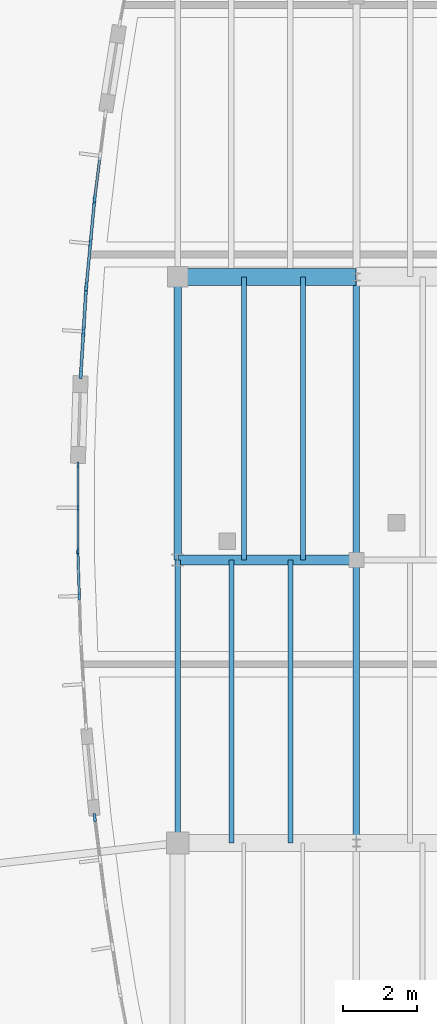
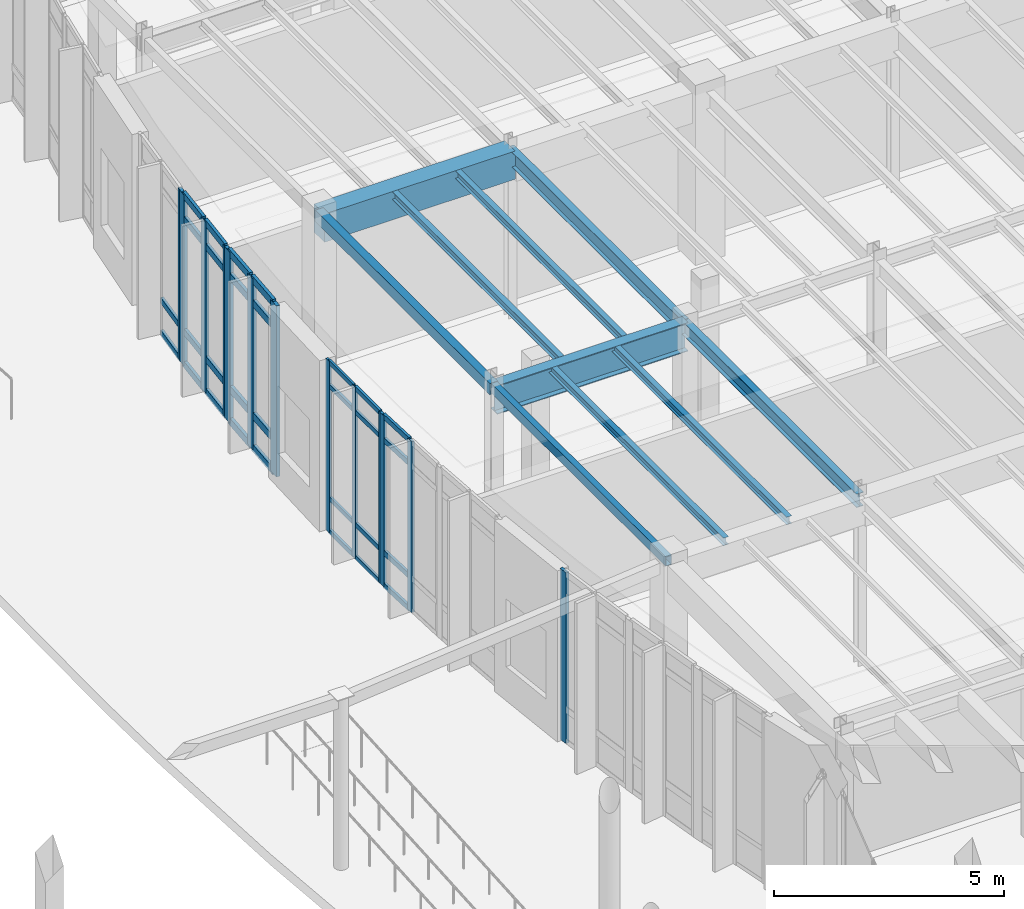
# One storey, part 52 of 120: 43 members, 10 beams, 6 elements without a shape of their own.
"""IFC4 building model written with IfcOpenShell, lengths in metres."""

from ifc_helpers import new_model, si_unit, direction, frame, origin, origin_2d, place, context, subcontext, project, spatial, rectangle, hollow_rectangle, i_section, extrude, material, material_profile, profile_set, type_object, element, aggregate, save


model = new_model("IFC4")

# Units and contexts
model_context = context("Model", 3, precision=1e-05, world=origin(), true_north=direction((0.0, 1.0)))
body_context = subcontext(model_context, "Body", "Model", "MODEL_VIEW")
ifc_project = project(units=[si_unit("LENGTHUNIT", "METRE"), si_unit("AREAUNIT", "SQUARE_METRE"), si_unit("VOLUMEUNIT", "CUBIC_METRE"), si_unit("PLANEANGLEUNIT", "RADIAN"), si_unit("MASSUNIT", "GRAM", prefix="KILO")], contexts=[model_context])

# Site, building, storey
site_placement = place(None, origin())
site = spatial("IfcSite", under=ifc_project, at=site_placement, CompositionType="ELEMENT")
building_placement = place(site_placement, origin())
building = spatial("IfcBuilding", under=site, at=building_placement, Name="Corveleigh Park Community Centre", CompositionType="ELEMENT")
storey_placement = place(building_placement, origin())
storey = spatial("IfcBuildingStorey", under=building, at=storey_placement, Name="L00", CompositionType="ELEMENT", Elevation=0.0)

# Beams
ifc_material_1 = material(Name="Concrete C40/50", Category="concrete")
ifc_material_profile_1 = material_profile(ifc_material_1, rectangle(XDim=0.449951171875, YDim=0.75, at=origin_2d()), Name="RC-450x750", Category="concrete")
ifc_profile_set_1 = profile_set([ifc_material_profile_1], Name="Concrete C40/50")
beam_type_1 = type_object("IfcBeamType", Name="BM-RC-450x750", PredefinedType="BEAM", material=ifc_profile_set_1)
beam_1_placement = place(storey_placement, frame((129.804931640625, 89.0, 4.152099609375), z_axis=(1.0, 0.0, 0.0), x_axis=(0.0, 1.0, 0.0)))
element("IfcBeam", 1, at=beam_1_placement, inside=storey, type_object=beam_type_1, Name="V4 Girder X", PredefinedType="BEAM", context=body_context, shape_type="SweptSolid", body=[
    extrude(rectangle(XDim=0.449951171875, YDim=0.75, at=origin_2d()), origin(), (0.0, 0.0, 1.0), 4.7900390625),
])
ifc_material_2 = material(Name="Steel S355", Category="steel")
ifc_material_profile_2 = material_profile(ifc_material_2, i_section(OverallWidth=0.13330078125, OverallDepth=0.203125, WebThickness=0.005615234375, FlangeThickness=0.0078125, at=origin_2d()), Name="UKB 203x133x25", Category="steel")
ifc_profile_set_2 = profile_set([ifc_material_profile_2], Name="Steel S355")
beam_type_2 = type_object("IfcBeamType", Name="BM-STL-UKB203x25", PredefinedType="JOIST", material=ifc_profile_set_2)
for number, where, z_axis, x_axis, name in (
    (2, (131.239990234375, 73.804931640625, 4.42529296875), (0.0, 1.0, 0.0), (-1.0, 0.0, 0.0), "Secondary floor joist"),
    (3, (132.823974609375, 73.804931640625, 4.42529296875), (0.0, 1.0, 0.0), (-1.0, 0.0, 0.0), "Secondary floor joist"),
):
    element("IfcBeam", number, at=place(storey_placement, frame(where, z_axis=z_axis, x_axis=x_axis)), inside=storey, type_object=beam_type_2, Name=name, PredefinedType="JOIST", context=body_context, shape_type="SweptSolid", body=[
        extrude(i_section(OverallWidth=0.13330078125, OverallDepth=0.203125, WebThickness=0.005615234375, FlangeThickness=0.0078125, at=origin_2d()), origin(), (0.0, 0.0, 1.0), 7.590087890625),
    ])
ifc_material_profile_3 = material_profile(ifc_material_2, i_section(OverallWidth=0.1337890625, OverallDepth=0.206787109375, WebThickness=0.00634765625, FlangeThickness=0.009521484375, at=origin_2d()), Name="UKB 203x133x30", Category="steel")
ifc_profile_set_3 = profile_set([ifc_material_profile_3], Name="Steel S355")
beam_type_3 = type_object("IfcBeamType", Name="BM-STL-UKB203x30", PredefinedType="JOIST", material=ifc_profile_set_3)
for number, where, z_axis, x_axis, name in (
    (4, (131.575927734375, 81.405029296875, 4.423583984375), (0.0, 1.0, 0.0), (-1.0, 0.0, 0.0), "Secondary floor joist"),
    (5, (133.159912109375, 81.405029296875, 4.423583984375), (0.0, 1.0, 0.0), (-1.0, 0.0, 0.0), "Secondary floor joist"),
):
    element("IfcBeam", number, at=place(storey_placement, frame(where, z_axis=z_axis, x_axis=x_axis)), inside=storey, type_object=beam_type_3, Name=name, PredefinedType="JOIST", context=body_context, shape_type="SweptSolid", body=[
        extrude(i_section(OverallWidth=0.1337890625, OverallDepth=0.206787109375, WebThickness=0.00634765625, FlangeThickness=0.009521484375, at=origin_2d()), origin(), (0.0, 0.0, 1.0), 7.590087890625),
    ])
ifc_material_profile_4 = material_profile(ifc_material_2, i_section(OverallWidth=0.173095703125, OverallDepth=0.36328125, WebThickness=0.009033203125, FlangeThickness=0.015625, at=origin_2d()), Name="UKB 356x171x67", Category="steel")
ifc_profile_set_4 = profile_set([ifc_material_profile_4], Name="Steel S355")
beam_type_4 = type_object("IfcBeamType", Name="BM-STL-UKB356x67", PredefinedType="BEAM", material=ifc_profile_set_4)
beam_2_placement = place(storey_placement, frame((134.60009765625, 73.804931640625, 4.34521484375), z_axis=(0.0, 1.0, 0.0), x_axis=(-1.0, 0.0, 0.0)))
element("IfcBeam", 6, at=beam_2_placement, inside=storey, type_object=beam_type_4, Name="V4 Girder Y", PredefinedType="BEAM", context=body_context, shape_type="SweptSolid", body=[
    extrude(i_section(OverallWidth=0.173095703125, OverallDepth=0.36328125, WebThickness=0.009033203125, FlangeThickness=0.015625, at=origin_2d()), origin(), (0.0, 0.0, 1.0), 7.590087890625),
])
ifc_material_profile_5 = material_profile(ifc_material_2, i_section(OverallWidth=0.177978515625, OverallDepth=0.406494140625, WebThickness=0.0078125, FlangeThickness=0.0126953125, at=origin_2d()), Name="UKB 406x178x60", Category="steel")
ifc_profile_set_5 = profile_set([ifc_material_profile_5], Name="Steel S355")
beam_type_5 = type_object("IfcBeamType", Name="BM-STL-UKB406x60", PredefinedType="BEAM", material=ifc_profile_set_5)
beam_3_placement = place(storey_placement, frame((134.60009765625, 81.405029296875, 4.32373046875), z_axis=(0.0, 1.0, 0.0), x_axis=(-1.0, 0.0, 0.0)))
element("IfcBeam", 7, at=beam_3_placement, inside=storey, type_object=beam_type_5, Name="V4 Girder Y", PredefinedType="BEAM", context=body_context, shape_type="SweptSolid", body=[
    extrude(i_section(OverallWidth=0.177978515625, OverallDepth=0.406494140625, WebThickness=0.0078125, FlangeThickness=0.0126953125, at=origin_2d()), origin(), (0.0, 0.0, 1.0), 7.590087890625),
])
ifc_material_profile_6 = material_profile(ifc_material_2, i_section(OverallWidth=0.2666015625, OverallDepth=0.76220703125, WebThickness=0.014404296875, FlangeThickness=0.021484375, at=origin_2d()), Name="UKB 762x267x173", Category="steel")
ifc_profile_set_6 = profile_set([ifc_material_profile_6], Name="Steel S355")
beam_type_6 = type_object("IfcBeamType", Name="BM-STL-UKB762x173", PredefinedType="BEAM", material=ifc_profile_set_6)
beam_4_placement = place(storey_placement, frame((129.804931640625, 81.39990234375, 4.14599609375), z_axis=(1.0, 0.0, 0.0), x_axis=(0.0, 1.0, 0.0)))
element("IfcBeam", 8, at=beam_4_placement, inside=storey, type_object=beam_type_6, Name="V4 Girder X", PredefinedType="BEAM", context=body_context, shape_type="SweptSolid", body=[
    extrude(i_section(OverallWidth=0.2666015625, OverallDepth=0.76220703125, WebThickness=0.014404296875, FlangeThickness=0.021484375, at=origin_2d()), origin(), (0.0, 0.0, 1.0), 4.7900390625),
])

# Curtain wall, members
ifc_material_3 = material(Name="Anodised aluminium 6063-T6", Category="aluminium")
curtain_wall_type = type_object("IfcCurtainWallType", Name="CW-SYS-V4-L00", PredefinedType="NOTDEFINED", material=ifc_material_3)
curtain_wall_1_placement = place(storey_placement, origin())
curtain_wall_1 = element("IfcCurtainWall", 9, at=curtain_wall_1_placement, inside=storey, type_object=curtain_wall_type, Name="V4 L00 Curtain Wall 151", PredefinedType="NOTDEFINED")
ifc_material_profile_7 = material_profile(ifc_material_3, rectangle(XDim=0.06005859375, YDim=0.159912109375, at=origin_2d()), Name="ALU-M60x160", Category="aluminium")
ifc_profile_set_7 = profile_set([ifc_material_profile_7], Name="Anodised aluminium 6063-T6")
member_type_1 = type_object("IfcMemberType", Name="CWM-60x160", PredefinedType="MULLION", material=ifc_profile_set_7)
member_1_placement = place(storey_placement, frame((127.1220703125, 81.655029296875, 0.0), z_axis=(0.0, 0.0, 1.0), x_axis=(-1.0, 0.0, 0.0)))
member_1 = element("IfcMember", 10, at=member_1_placement, type_object=member_type_1, Name="CW07 mullion 1", PredefinedType="MULLION", context=body_context, shape_type="SweptSolid", body=[
    extrude(rectangle(XDim=0.06005859375, YDim=0.159912109375, at=origin_2d()), origin(), (0.0, 0.0, 1.0), 4.537109375),
])
member_2_placement = place(storey_placement, frame((127.1220703125, 82.800048828125, 0.0), z_axis=(0.0, 0.0, 1.0), x_axis=(-1.0, 0.0, 0.0)))
member_2 = element("IfcMember", 11, at=member_2_placement, type_object=member_type_1, Name="CW07 mullion 2", PredefinedType="MULLION", context=body_context, shape_type="SweptSolid", body=[
    extrude(rectangle(XDim=0.06005859375, YDim=0.159912109375, at=origin_2d()), origin(), (0.0, 0.0, 1.0), 4.537109375),
])
member_3_placement = place(storey_placement, frame((127.1220703125, 83.945068359375, 0.0), z_axis=(0.0, 0.0, 1.0), x_axis=(-1.0, 0.0, 0.0)))
member_3 = element("IfcMember", 12, at=member_3_placement, type_object=member_type_1, Name="CW07 mullion 3", PredefinedType="MULLION", context=body_context, shape_type="SweptSolid", body=[
    extrude(rectangle(XDim=0.06005859375, YDim=0.159912109375, at=origin_2d()), origin(), (0.0, 0.0, 1.0), 4.537109375),
])

curtain_wall_2_placement = place(storey_placement, origin())
curtain_wall_2 = element("IfcCurtainWall", 13, at=curtain_wall_2_placement, inside=storey, type_object=curtain_wall_type, Name="V4 L00 Curtain Wall 152", PredefinedType="NOTDEFINED")
ifc_material_profile_8 = material_profile(ifc_material_3, rectangle(XDim=0.06494140625, YDim=0.179931640625, at=origin_2d()), Name="ALU-M65x180", Category="aluminium")
ifc_profile_set_8 = profile_set([ifc_material_profile_8], Name="Anodised aluminium 6063-T6")
member_type_2 = type_object("IfcMemberType", Name="CWM-65x180", PredefinedType="MULLION", material=ifc_profile_set_8)
member_4_placement = place(storey_placement, frame((127.159423828125, 80.431884765625, 0.0), z_axis=(0.0, 0.0, 1.0), x_axis=(-0.999491108502, -0.031898652394, 0.0)))
member_4 = element("IfcMember", 14, at=member_4_placement, type_object=member_type_2, Name="CW07 mullion 2", PredefinedType="MULLION", context=body_context, shape_type="SweptSolid", body=[
    extrude(rectangle(XDim=0.06494140625, YDim=0.179931640625, at=origin_2d()), origin(), (0.0, 0.0, 1.0), 4.537109375),
])
member_5_placement = place(storey_placement, frame((127.123046875, 81.574462890625, 0.0), z_axis=(0.0, 0.0, 1.0), x_axis=(-0.999491108502, -0.031898652394, 0.0)))
member_5 = element("IfcMember", 15, at=member_5_placement, type_object=member_type_2, Name="CW07 mullion 3", PredefinedType="MULLION", context=body_context, shape_type="SweptSolid", body=[
    extrude(rectangle(XDim=0.06494140625, YDim=0.179931640625, at=origin_2d()), origin(), (0.0, 0.0, 1.0), 4.537109375),
])

# Curtain wall, member
curtain_wall_3_placement = place(storey_placement, origin())
curtain_wall_3 = element("IfcCurtainWall", 16, at=curtain_wall_3_placement, inside=storey, type_object=curtain_wall_type, Name="V4 L00 Curtain Wall 148", PredefinedType="NOTDEFINED")
ifc_material_profile_9 = material_profile(ifc_material_3, rectangle(XDim=0.074951171875, YDim=0.219970703125, at=origin_2d()), Name="ALU-M75x220", Category="aluminium")
ifc_profile_set_9 = profile_set([ifc_material_profile_9], Name="Anodised aluminium 6063-T6")
member_type_3 = type_object("IfcMemberType", Name="CWM-75x220", PredefinedType="MULLION", material=ifc_profile_set_9)
member_6_placement = place(storey_placement, frame((127.57470703125, 91.119140625, 0.0), z_axis=(0.0, 0.0, 1.0), x_axis=(-0.992040478554, 0.125919374639, 0.0)))
member_6 = element("IfcMember", 17, at=member_6_placement, type_object=member_type_3, Name="CW07 mullion 1", PredefinedType="MULLION", context=body_context, shape_type="SweptSolid", body=[
    extrude(rectangle(XDim=0.074951171875, YDim=0.219970703125, at=origin_2d()), origin(), (0.0, 0.0, 1.0), 4.537109375),
])

curtain_wall_4_placement = place(storey_placement, origin())
curtain_wall_4 = element("IfcCurtainWall", 18, at=curtain_wall_4_placement, inside=storey, type_object=curtain_wall_type, Name="V4 L00 Curtain Wall 154", PredefinedType="NOTDEFINED")
member_7_placement = place(storey_placement, frame((127.57470703125, 74.480712890625, 0.0), z_axis=(0.0, 0.0, 1.0), x_axis=(-0.992040478554, -0.125919374639, 0.0)))
member_7 = element("IfcMember", 19, at=member_7_placement, type_object=member_type_3, Name="CW07 mullion 3", PredefinedType="MULLION", context=body_context, shape_type="SweptSolid", body=[
    extrude(rectangle(XDim=0.074951171875, YDim=0.219970703125, at=origin_2d()), origin(), (0.0, 0.0, 1.0), 4.537109375),
])
aggregate(curtain_wall_4, [member_7])

# Curtain wall, members
curtain_wall_5_placement = place(storey_placement, origin())
curtain_wall_5 = element("IfcCurtainWall", 20, at=curtain_wall_5_placement, inside=storey, type_object=curtain_wall_type, Name="V4 L00 Curtain Wall 149", PredefinedType="NOTDEFINED")
ifc_material_profile_10 = material_profile(ifc_material_3, rectangle(XDim=0.080078125, YDim=0.25, at=origin_2d()), Name="ALU-M80x250", Category="aluminium")
ifc_profile_set_10 = profile_set([ifc_material_profile_10], Name="Anodised aluminium 6063-T6")
member_type_4 = type_object("IfcMemberType", Name="CWM-80x250", PredefinedType="MULLION", material=ifc_profile_set_10)
member_8_placement = place(storey_placement, frame((127.350830078125, 88.763916015625, 0.0), z_axis=(0.0, 0.0, 1.0), x_axis=(-0.995569739149, 0.094026030916, 0.0)))
member_8 = element("IfcMember", 21, at=member_8_placement, type_object=member_type_4, Name="CW07 mullion 1", PredefinedType="MULLION", context=body_context, shape_type="SweptSolid", body=[
    extrude(rectangle(XDim=0.080078125, YDim=0.25, at=origin_2d()), origin(), (0.0, 0.0, 1.0), 4.537109375),
])
member_9_placement = place(storey_placement, frame((127.45751953125, 89.89404296875, 0.0), z_axis=(0.0, 0.0, 1.0), x_axis=(-0.995569739149, 0.094026030916, 0.0)))
member_9 = element("IfcMember", 22, at=member_9_placement, type_object=member_type_4, Name="CW07 mullion 2", PredefinedType="MULLION", context=body_context, shape_type="SweptSolid", body=[
    extrude(rectangle(XDim=0.080078125, YDim=0.25, at=origin_2d()), origin(), (0.0, 0.0, 1.0), 4.537109375),
])
member_10_placement = place(storey_placement, frame((127.564208984375, 91.024169921875, 0.0), z_axis=(0.0, 0.0, 1.0), x_axis=(-0.995569739149, 0.094026030916, 0.0)))
member_10 = element("IfcMember", 23, at=member_10_placement, type_object=member_type_4, Name="CW07 mullion 3", PredefinedType="MULLION", context=body_context, shape_type="SweptSolid", body=[
    extrude(rectangle(XDim=0.080078125, YDim=0.25, at=origin_2d()), origin(), (0.0, 0.0, 1.0), 4.537109375),
])

curtain_wall_6_placement = place(storey_placement, origin())
curtain_wall_6 = element("IfcCurtainWall", 24, at=curtain_wall_6_placement, inside=storey, type_object=curtain_wall_type, Name="V4 L00 Curtain Wall 150", PredefinedType="NOTDEFINED")
ifc_material_profile_11 = material_profile(ifc_material_3, rectangle(XDim=0.0849609375, YDim=0.27490234375, at=origin_2d()), Name="ALU-M85x275", Category="aluminium")
ifc_profile_set_11 = profile_set([ifc_material_profile_11], Name="Anodised aluminium 6063-T6")
member_type_5 = type_object("IfcMemberType", Name="CWM-85x275", PredefinedType="MULLION", material=ifc_profile_set_11)
member_11_placement = place(storey_placement, frame((127.20068359375, 86.4033203125, 0.0), z_axis=(0.0, 0.0, 1.0), x_axis=(-0.998040968926, 0.062563762233, 0.0)))
member_11 = element("IfcMember", 25, at=member_11_placement, type_object=member_type_5, Name="CW07 mullion 1", PredefinedType="MULLION", context=body_context, shape_type="SweptSolid", body=[
    extrude(rectangle(XDim=0.0849609375, YDim=0.27490234375, at=origin_2d()), origin(), (0.0, 0.0, 1.0), 4.537109375),
])
member_12_placement = place(storey_placement, frame((127.271484375, 87.533447265625, 0.0), z_axis=(0.0, 0.0, 1.0), x_axis=(-0.998040968926, 0.062563762233, 0.0)))
member_12 = element("IfcMember", 26, at=member_12_placement, type_object=member_type_5, Name="CW07 mullion 2", PredefinedType="MULLION", context=body_context, shape_type="SweptSolid", body=[
    extrude(rectangle(XDim=0.0849609375, YDim=0.27490234375, at=origin_2d()), origin(), (0.0, 0.0, 1.0), 4.537109375),
])
member_13_placement = place(storey_placement, frame((127.34228515625, 88.66357421875, 0.0), z_axis=(0.0, 0.0, 1.0), x_axis=(-0.998040968926, 0.062563762233, 0.0)))
member_13 = element("IfcMember", 27, at=member_13_placement, type_object=member_type_5, Name="CW07 mullion 3", PredefinedType="MULLION", context=body_context, shape_type="SweptSolid", body=[
    extrude(rectangle(XDim=0.0849609375, YDim=0.27490234375, at=origin_2d()), origin(), (0.0, 0.0, 1.0), 4.537109375),
])

# Member
ifc_material_profile_12 = material_profile(ifc_material_3, rectangle(XDim=0.06005859375, YDim=0.1201171875, at=origin_2d()), Name="ALU-T60x120", Category="aluminium")
ifc_profile_set_12 = profile_set([ifc_material_profile_12], Name="Anodised aluminium 6063-T6")
member_type_6 = type_object("IfcMemberType", Name="CWT-60x120", PredefinedType="USERDEFINED", material=ifc_profile_set_12)
member_14_placement = place(storey_placement, frame((127.1220703125, 81.68505859375, 0.030029296875), z_axis=(0.0, 1.0, 0.0), x_axis=(-1.0, 0.0, 0.0)))
member_14 = element("IfcMember", 28, at=member_14_placement, type_object=member_type_6, Name="CW07 transom 1.1", ObjectType="TRANSOM", PredefinedType="USERDEFINED", context=body_context, shape_type="SweptSolid", body=[
    extrude(rectangle(XDim=0.06005859375, YDim=0.1201171875, at=origin_2d()), origin(), (0.0, 0.0, 1.0), 1.0849609375),
])

member_15_placement = place(storey_placement, frame((127.1220703125, 81.68505859375, 0.89990234375), z_axis=(0.0, 1.0, 0.0), x_axis=(-1.0, 0.0, 0.0)))
member_15 = element("IfcMember", 29, at=member_15_placement, type_object=member_type_6, Name="CW07 transom 1.2", ObjectType="TRANSOM", PredefinedType="USERDEFINED", context=body_context, shape_type="SweptSolid", body=[
    extrude(rectangle(XDim=0.06005859375, YDim=0.1201171875, at=origin_2d()), origin(), (0.0, 0.0, 1.0), 1.0849609375),
])

member_16_placement = place(storey_placement, frame((127.1220703125, 81.68505859375, 3.886962890625), z_axis=(0.0, 1.0, 0.0), x_axis=(-1.0, 0.0, 0.0)))
member_16 = element("IfcMember", 30, at=member_16_placement, type_object=member_type_6, Name="CW07 transom 1.3", ObjectType="TRANSOM", PredefinedType="USERDEFINED", context=body_context, shape_type="SweptSolid", body=[
    extrude(rectangle(XDim=0.06005859375, YDim=0.1201171875, at=origin_2d()), origin(), (0.0, 0.0, 1.0), 1.0849609375),
])

member_17_placement = place(storey_placement, frame((127.1220703125, 81.68505859375, 4.507080078125), z_axis=(0.0, 1.0, 0.0), x_axis=(-1.0, 0.0, 0.0)))
member_17 = element("IfcMember", 31, at=member_17_placement, type_object=member_type_6, Name="CW07 transom 1.4", ObjectType="TRANSOM", PredefinedType="USERDEFINED", context=body_context, shape_type="SweptSolid", body=[
    extrude(rectangle(XDim=0.06005859375, YDim=0.1201171875, at=origin_2d()), origin(), (0.0, 0.0, 1.0), 1.0849609375),
])

member_18_placement = place(storey_placement, frame((127.1220703125, 82.830078125, 0.030029296875), z_axis=(0.0, 1.0, 0.0), x_axis=(-1.0, 0.0, 0.0)))
member_18 = element("IfcMember", 32, at=member_18_placement, type_object=member_type_6, Name="CW07 transom 2.1", ObjectType="TRANSOM", PredefinedType="USERDEFINED", context=body_context, shape_type="SweptSolid", body=[
    extrude(rectangle(XDim=0.06005859375, YDim=0.1201171875, at=origin_2d()), origin(), (0.0, 0.0, 1.0), 1.0849609375),
])

member_19_placement = place(storey_placement, frame((127.1220703125, 82.830078125, 0.89990234375), z_axis=(0.0, 1.0, 0.0), x_axis=(-1.0, 0.0, 0.0)))
member_19 = element("IfcMember", 33, at=member_19_placement, type_object=member_type_6, Name="CW07 transom 2.2", ObjectType="TRANSOM", PredefinedType="USERDEFINED", context=body_context, shape_type="SweptSolid", body=[
    extrude(rectangle(XDim=0.06005859375, YDim=0.1201171875, at=origin_2d()), origin(), (0.0, 0.0, 1.0), 1.0849609375),
])

member_20_placement = place(storey_placement, frame((127.1220703125, 82.830078125, 3.886962890625), z_axis=(0.0, 1.0, 0.0), x_axis=(-1.0, 0.0, 0.0)))
member_20 = element("IfcMember", 34, at=member_20_placement, type_object=member_type_6, Name="CW07 transom 2.3", ObjectType="TRANSOM", PredefinedType="USERDEFINED", context=body_context, shape_type="SweptSolid", body=[
    extrude(rectangle(XDim=0.06005859375, YDim=0.1201171875, at=origin_2d()), origin(), (0.0, 0.0, 1.0), 1.0849609375),
])

member_21_placement = place(storey_placement, frame((127.1220703125, 82.830078125, 4.507080078125), z_axis=(0.0, 1.0, 0.0), x_axis=(-1.0, 0.0, 0.0)))
member_21 = element("IfcMember", 35, at=member_21_placement, type_object=member_type_6, Name="CW07 transom 2.4", ObjectType="TRANSOM", PredefinedType="USERDEFINED", context=body_context, shape_type="SweptSolid", body=[
    extrude(rectangle(XDim=0.06005859375, YDim=0.1201171875, at=origin_2d()), origin(), (0.0, 0.0, 1.0), 1.0849609375),
])

aggregate(curtain_wall_1, [member_1, member_2, member_3, member_14, member_15, member_16, member_17, member_18, member_19, member_20, member_21])

ifc_material_profile_13 = material_profile(ifc_material_3, rectangle(XDim=0.06494140625, YDim=0.139892578125, at=origin_2d()), Name="ALU-T65x140", Category="aluminium")
ifc_profile_set_13 = profile_set([ifc_material_profile_13], Name="Anodised aluminium 6063-T6")
member_type_7 = type_object("IfcMemberType", Name="CWT-65x140", PredefinedType="USERDEFINED", material=ifc_profile_set_13)
member_22_placement = place(storey_placement, frame((127.158447265625, 80.464599609375, 0.032470703125), z_axis=(-0.031934757248, 0.999489955567, 0.0), x_axis=(-0.999489955567, -0.031934757248, 0.0)))
member_22 = element("IfcMember", 36, at=member_22_placement, type_object=member_type_7, Name="CW07 transom 2.1", ObjectType="TRANSOM", PredefinedType="USERDEFINED", context=body_context, shape_type="SweptSolid", body=[
    extrude(rectangle(XDim=0.06494140625, YDim=0.139892578125, at=origin_2d()), origin(), (0.0, 0.0, 1.0), 1.077880859375),
])

member_23_placement = place(storey_placement, frame((127.158447265625, 80.464599609375, 0.89990234375), z_axis=(-0.031934757248, 0.999489955567, 0.0), x_axis=(-0.999489955567, -0.031934757248, 0.0)))
member_23 = element("IfcMember", 37, at=member_23_placement, type_object=member_type_7, Name="CW07 transom 2.2", ObjectType="TRANSOM", PredefinedType="USERDEFINED", context=body_context, shape_type="SweptSolid", body=[
    extrude(rectangle(XDim=0.06494140625, YDim=0.139892578125, at=origin_2d()), origin(), (0.0, 0.0, 1.0), 1.077880859375),
])

member_24_placement = place(storey_placement, frame((127.158447265625, 80.464599609375, 3.886962890625), z_axis=(-0.031934757248, 0.999489955567, 0.0), x_axis=(-0.999489955567, -0.031934757248, 0.0)))
member_24 = element("IfcMember", 38, at=member_24_placement, type_object=member_type_7, Name="CW07 transom 2.3", ObjectType="TRANSOM", PredefinedType="USERDEFINED", context=body_context, shape_type="SweptSolid", body=[
    extrude(rectangle(XDim=0.06494140625, YDim=0.139892578125, at=origin_2d()), origin(), (0.0, 0.0, 1.0), 1.077880859375),
])

member_25_placement = place(storey_placement, frame((127.158447265625, 80.464599609375, 4.50439453125), z_axis=(-0.031934757248, 0.999489955567, 0.0), x_axis=(-0.999489955567, -0.031934757248, 0.0)))
member_25 = element("IfcMember", 39, at=member_25_placement, type_object=member_type_7, Name="CW07 transom 2.4", ObjectType="TRANSOM", PredefinedType="USERDEFINED", context=body_context, shape_type="SweptSolid", body=[
    extrude(rectangle(XDim=0.06494140625, YDim=0.139892578125, at=origin_2d()), origin(), (0.0, 0.0, 1.0), 1.077880859375),
])

aggregate(curtain_wall_2, [member_4, member_5, member_22, member_23, member_24, member_25])

ifc_material_profile_14 = material_profile(ifc_material_3, rectangle(XDim=0.070068359375, YDim=0.155029296875, at=origin_2d()), Name="ALU-T70x155", Category="aluminium")
ifc_profile_set_14 = profile_set([ifc_material_profile_14], Name="Anodised aluminium 6063-T6")
member_type_8 = type_object("IfcMemberType", Name="CWT-70x155", PredefinedType="USERDEFINED", material=ifc_profile_set_14)
member_26_placement = place(storey_placement, frame((127.579345703125, 91.156494140625, 0.034912109375), z_axis=(0.126126853311, 0.992014121308, 0.0), x_axis=(-0.992014121308, 0.126126853311, 0.0)))
member_26 = element("IfcMember", 40, at=member_26_placement, type_object=member_type_8, Name="CW07 transom 1.1", ObjectType="TRANSOM", PredefinedType="USERDEFINED", context=body_context, shape_type="SweptSolid", body=[
    extrude(rectangle(XDim=0.070068359375, YDim=0.155029296875, at=origin_2d()), origin(), (0.0, 0.0, 1.0), 1.062744140625),
])

member_27_placement = place(storey_placement, frame((127.579345703125, 91.156494140625, 0.89990234375), z_axis=(0.126126853311, 0.992014121308, 0.0), x_axis=(-0.992014121308, 0.126126853311, 0.0)))
member_27 = element("IfcMember", 41, at=member_27_placement, type_object=member_type_8, Name="CW07 transom 1.2", ObjectType="TRANSOM", PredefinedType="USERDEFINED", context=body_context, shape_type="SweptSolid", body=[
    extrude(rectangle(XDim=0.070068359375, YDim=0.155029296875, at=origin_2d()), origin(), (0.0, 0.0, 1.0), 1.062744140625),
])

aggregate(curtain_wall_3, [member_6, member_26, member_27])

ifc_material_profile_15 = material_profile(ifc_material_3, rectangle(XDim=0.074951171875, YDim=0.175048828125, at=origin_2d()), Name="ALU-T75x175", Category="aluminium")
ifc_profile_set_15 = profile_set([ifc_material_profile_15], Name="Anodised aluminium 6063-T6")
member_type_9 = type_object("IfcMemberType", Name="CWT-75x175", PredefinedType="USERDEFINED", material=ifc_profile_set_15)
member_28_placement = place(storey_placement, frame((127.3544921875, 88.8037109375, 0.03759765625), z_axis=(0.094164894745, 0.995556614461, 0.0), x_axis=(-0.995556614461, 0.094164894745, 0.0)))
member_28 = element("IfcMember", 42, at=member_28_placement, type_object=member_type_9, Name="CW07 transom 1.1", ObjectType="TRANSOM", PredefinedType="USERDEFINED", context=body_context, shape_type="SweptSolid", body=[
    extrude(rectangle(XDim=0.074951171875, YDim=0.175048828125, at=origin_2d()), origin(), (0.0, 0.0, 1.0), 1.05517578125),
])

member_29_placement = place(storey_placement, frame((127.3544921875, 88.8037109375, 0.89990234375), z_axis=(0.094164894745, 0.995556614461, 0.0), x_axis=(-0.995556614461, 0.094164894745, 0.0)))
member_29 = element("IfcMember", 43, at=member_29_placement, type_object=member_type_9, Name="CW07 transom 1.2", ObjectType="TRANSOM", PredefinedType="USERDEFINED", context=body_context, shape_type="SweptSolid", body=[
    extrude(rectangle(XDim=0.074951171875, YDim=0.175048828125, at=origin_2d()), origin(), (0.0, 0.0, 1.0), 1.05517578125),
])

member_30_placement = place(storey_placement, frame((127.3544921875, 88.8037109375, 3.886962890625), z_axis=(0.094164894745, 0.995556614461, 0.0), x_axis=(-0.995556614461, 0.094164894745, 0.0)))
member_30 = element("IfcMember", 44, at=member_30_placement, type_object=member_type_9, Name="CW07 transom 1.3", ObjectType="TRANSOM", PredefinedType="USERDEFINED", context=body_context, shape_type="SweptSolid", body=[
    extrude(rectangle(XDim=0.074951171875, YDim=0.175048828125, at=origin_2d()), origin(), (0.0, 0.0, 1.0), 1.05517578125),
])

member_31_placement = place(storey_placement, frame((127.3544921875, 88.8037109375, 4.49951171875), z_axis=(0.094164894745, 0.995556614461, 0.0), x_axis=(-0.995556614461, 0.094164894745, 0.0)))
member_31 = element("IfcMember", 45, at=member_31_placement, type_object=member_type_9, Name="CW07 transom 1.4", ObjectType="TRANSOM", PredefinedType="USERDEFINED", context=body_context, shape_type="SweptSolid", body=[
    extrude(rectangle(XDim=0.074951171875, YDim=0.175048828125, at=origin_2d()), origin(), (0.0, 0.0, 1.0), 1.05517578125),
])

member_32_placement = place(storey_placement, frame((127.461181640625, 89.933837890625, 0.03759765625), z_axis=(0.094164894745, 0.995556614461, 0.0), x_axis=(-0.995556614461, 0.094164894745, 0.0)))
member_32 = element("IfcMember", 46, at=member_32_placement, type_object=member_type_9, Name="CW07 transom 2.1", ObjectType="TRANSOM", PredefinedType="USERDEFINED", context=body_context, shape_type="SweptSolid", body=[
    extrude(rectangle(XDim=0.074951171875, YDim=0.175048828125, at=origin_2d()), origin(), (0.0, 0.0, 1.0), 1.05517578125),
])

member_33_placement = place(storey_placement, frame((127.461181640625, 89.933837890625, 0.89990234375), z_axis=(0.094164894745, 0.995556614461, 0.0), x_axis=(-0.995556614461, 0.094164894745, 0.0)))
member_33 = element("IfcMember", 47, at=member_33_placement, type_object=member_type_9, Name="CW07 transom 2.2", ObjectType="TRANSOM", PredefinedType="USERDEFINED", context=body_context, shape_type="SweptSolid", body=[
    extrude(rectangle(XDim=0.074951171875, YDim=0.175048828125, at=origin_2d()), origin(), (0.0, 0.0, 1.0), 1.05517578125),
])

member_34_placement = place(storey_placement, frame((127.461181640625, 89.933837890625, 3.886962890625), z_axis=(0.094164894745, 0.995556614461, 0.0), x_axis=(-0.995556614461, 0.094164894745, 0.0)))
member_34 = element("IfcMember", 48, at=member_34_placement, type_object=member_type_9, Name="CW07 transom 2.3", ObjectType="TRANSOM", PredefinedType="USERDEFINED", context=body_context, shape_type="SweptSolid", body=[
    extrude(rectangle(XDim=0.074951171875, YDim=0.175048828125, at=origin_2d()), origin(), (0.0, 0.0, 1.0), 1.05517578125),
])

member_35_placement = place(storey_placement, frame((127.461181640625, 89.933837890625, 4.49951171875), z_axis=(0.094164894745, 0.995556614461, 0.0), x_axis=(-0.995556614461, 0.094164894745, 0.0)))
member_35 = element("IfcMember", 49, at=member_35_placement, type_object=member_type_9, Name="CW07 transom 2.4", ObjectType="TRANSOM", PredefinedType="USERDEFINED", context=body_context, shape_type="SweptSolid", body=[
    extrude(rectangle(XDim=0.074951171875, YDim=0.175048828125, at=origin_2d()), origin(), (0.0, 0.0, 1.0), 1.05517578125),
])

aggregate(curtain_wall_5, [member_8, member_9, member_10, member_28, member_29, member_30, member_31, member_32, member_33, member_34, member_35])

ifc_material_profile_16 = material_profile(ifc_material_3, rectangle(XDim=0.080078125, YDim=0.195068359375, at=origin_2d()), Name="ALU-T80x195", Category="aluminium")
ifc_profile_set_16 = profile_set([ifc_material_profile_16], Name="Anodised aluminium 6063-T6")
member_type_10 = type_object("IfcMemberType", Name="CWT-80x195", PredefinedType="USERDEFINED", material=ifc_profile_set_16)
member_36_placement = place(storey_placement, frame((127.203369140625, 86.44580078125, 0.0400390625), z_axis=(0.062479885041, 0.998046223361, 0.0), x_axis=(-0.998046223361, 0.062479885041, 0.0)))
member_36 = element("IfcMember", 50, at=member_36_placement, type_object=member_type_10, Name="CW07 transom 1.1", ObjectType="TRANSOM", PredefinedType="USERDEFINED", context=body_context, shape_type="SweptSolid", body=[
    extrude(rectangle(XDim=0.080078125, YDim=0.195068359375, at=origin_2d()), origin(), (0.0, 0.0, 1.0), 1.047119140625),
])

member_37_placement = place(storey_placement, frame((127.203369140625, 86.44580078125, 0.89990234375), z_axis=(0.062479885041, 0.998046223361, 0.0), x_axis=(-0.998046223361, 0.062479885041, 0.0)))
member_37 = element("IfcMember", 51, at=member_37_placement, type_object=member_type_10, Name="CW07 transom 1.2", ObjectType="TRANSOM", PredefinedType="USERDEFINED", context=body_context, shape_type="SweptSolid", body=[
    extrude(rectangle(XDim=0.080078125, YDim=0.195068359375, at=origin_2d()), origin(), (0.0, 0.0, 1.0), 1.047119140625),
])

member_38_placement = place(storey_placement, frame((127.203369140625, 86.44580078125, 3.886962890625), z_axis=(0.062479885041, 0.998046223361, 0.0), x_axis=(-0.998046223361, 0.062479885041, 0.0)))
member_38 = element("IfcMember", 52, at=member_38_placement, type_object=member_type_10, Name="CW07 transom 1.3", ObjectType="TRANSOM", PredefinedType="USERDEFINED", context=body_context, shape_type="SweptSolid", body=[
    extrude(rectangle(XDim=0.080078125, YDim=0.195068359375, at=origin_2d()), origin(), (0.0, 0.0, 1.0), 1.047119140625),
])

member_39_placement = place(storey_placement, frame((127.203369140625, 86.44580078125, 4.4970703125), z_axis=(0.062479885041, 0.998046223361, 0.0), x_axis=(-0.998046223361, 0.062479885041, 0.0)))
member_39 = element("IfcMember", 53, at=member_39_placement, type_object=member_type_10, Name="CW07 transom 1.4", ObjectType="TRANSOM", PredefinedType="USERDEFINED", context=body_context, shape_type="SweptSolid", body=[
    extrude(rectangle(XDim=0.080078125, YDim=0.195068359375, at=origin_2d()), origin(), (0.0, 0.0, 1.0), 1.047119140625),
])

member_40_placement = place(storey_placement, frame((127.274169921875, 87.575927734375, 0.0400390625), z_axis=(0.062479885041, 0.998046223361, 0.0), x_axis=(-0.998046223361, 0.062479885041, 0.0)))
member_40 = element("IfcMember", 54, at=member_40_placement, type_object=member_type_10, Name="CW07 transom 2.1", ObjectType="TRANSOM", PredefinedType="USERDEFINED", context=body_context, shape_type="SweptSolid", body=[
    extrude(rectangle(XDim=0.080078125, YDim=0.195068359375, at=origin_2d()), origin(), (0.0, 0.0, 1.0), 1.047119140625),
])

member_41_placement = place(storey_placement, frame((127.274169921875, 87.575927734375, 0.89990234375), z_axis=(0.062479885041, 0.998046223361, 0.0), x_axis=(-0.998046223361, 0.062479885041, 0.0)))
member_41 = element("IfcMember", 55, at=member_41_placement, type_object=member_type_10, Name="CW07 transom 2.2", ObjectType="TRANSOM", PredefinedType="USERDEFINED", context=body_context, shape_type="SweptSolid", body=[
    extrude(rectangle(XDim=0.080078125, YDim=0.195068359375, at=origin_2d()), origin(), (0.0, 0.0, 1.0), 1.047119140625),
])

member_42_placement = place(storey_placement, frame((127.274169921875, 87.575927734375, 3.886962890625), z_axis=(0.062479885041, 0.998046223361, 0.0), x_axis=(-0.998046223361, 0.062479885041, 0.0)))
member_42 = element("IfcMember", 56, at=member_42_placement, type_object=member_type_10, Name="CW07 transom 2.3", ObjectType="TRANSOM", PredefinedType="USERDEFINED", context=body_context, shape_type="SweptSolid", body=[
    extrude(rectangle(XDim=0.080078125, YDim=0.195068359375, at=origin_2d()), origin(), (0.0, 0.0, 1.0), 1.047119140625),
])

member_43_placement = place(storey_placement, frame((127.274169921875, 87.575927734375, 4.4970703125), z_axis=(0.062479885041, 0.998046223361, 0.0), x_axis=(-0.998046223361, 0.062479885041, 0.0)))
member_43 = element("IfcMember", 57, at=member_43_placement, type_object=member_type_10, Name="CW07 transom 2.4", ObjectType="TRANSOM", PredefinedType="USERDEFINED", context=body_context, shape_type="SweptSolid", body=[
    extrude(rectangle(XDim=0.080078125, YDim=0.195068359375, at=origin_2d()), origin(), (0.0, 0.0, 1.0), 1.047119140625),
])

aggregate(curtain_wall_6, [member_11, member_12, member_13, member_36, member_37, member_38, member_39, member_40, member_41, member_42, member_43])

# Beams
ifc_material_profile_17 = material_profile(ifc_material_2, hollow_rectangle(XDim=0.14990234375, YDim=0.25, WallThickness=0.010009765625, at=origin_2d()), Name="RHS 250x150x10.0", Category="steel")
ifc_profile_set_17 = profile_set([ifc_material_profile_17], Name="Steel S355")
beam_type_7 = type_object("IfcBeamType", Name="SP-STL-RHS250x150", PredefinedType="SPANDREL", material=ifc_profile_set_17)
beam_5_placement = place(storey_placement, frame((129.800048828125, 73.804931640625, 4.412109375), z_axis=(0.0, 1.0, 0.0), x_axis=(-1.0, 0.0, 0.0)))
element("IfcBeam", 58, at=beam_5_placement, inside=storey, type_object=beam_type_7, Name="V4 Girder Y", PredefinedType="SPANDREL", context=body_context, shape_type="SweptSolid", body=[
    extrude(hollow_rectangle(XDim=0.14990234375, YDim=0.25, WallThickness=0.010009765625, at=origin_2d()), origin(), (0.0, 0.0, 1.0), 7.590087890625),
])
ifc_material_profile_18 = material_profile(ifc_material_2, hollow_rectangle(XDim=0.199951171875, YDim=0.300048828125, WallThickness=0.012451171875, at=origin_2d()), Name="RHS 300x200x12.5", Category="steel")
ifc_profile_set_18 = profile_set([ifc_material_profile_18], Name="Steel S355")
beam_type_8 = type_object("IfcBeamType", Name="SP-STL-RHS300x200", PredefinedType="SPANDREL", material=ifc_profile_set_18)
beam_6_placement = place(storey_placement, frame((129.800048828125, 81.405029296875, 4.386962890625), z_axis=(0.0, 1.0, 0.0), x_axis=(-1.0, 0.0, 0.0)))
element("IfcBeam", 59, at=beam_6_placement, inside=storey, type_object=beam_type_8, Name="V4 Girder Y", PredefinedType="SPANDREL", context=body_context, shape_type="SweptSolid", body=[
    extrude(hollow_rectangle(XDim=0.199951171875, YDim=0.300048828125, WallThickness=0.012451171875, at=origin_2d()), origin(), (0.0, 0.0, 1.0), 7.590087890625),
])

save(model, "model.ifc")
